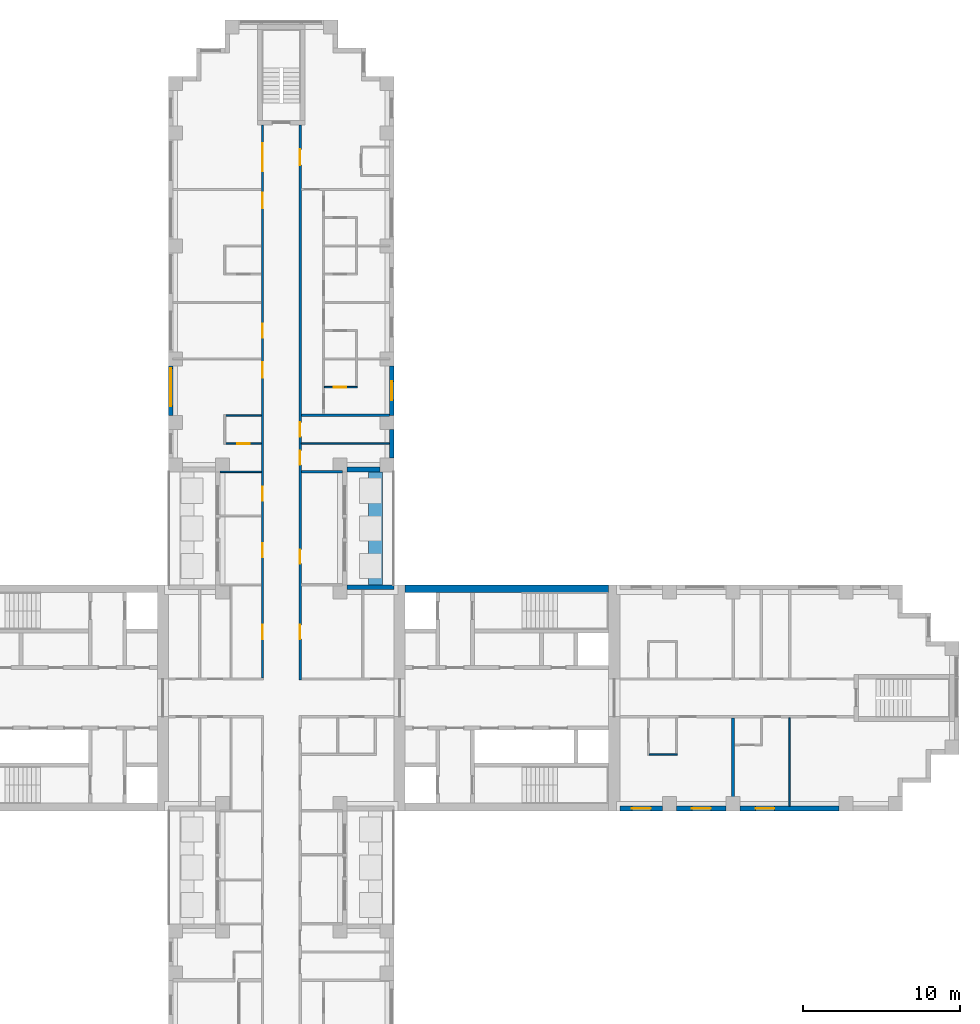
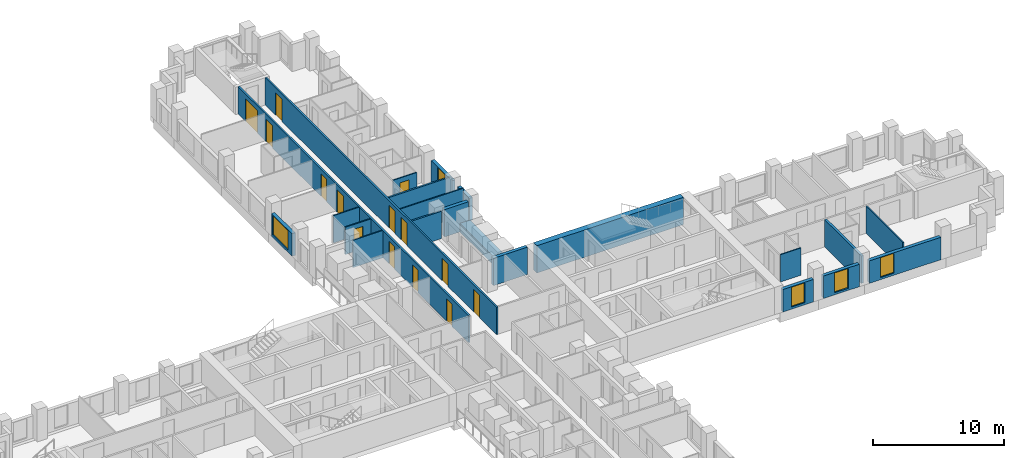
# One storey, part 9 of 15: 22 walls, 14 doors, 5 windows, 19 openings.
"""IFC4 building model written with IfcOpenShell, lengths in metres."""

from ifc_helpers import new_model, si_unit, direction, frame, frame_2d, origin, place, context, subcontext, project, spatial, rectangle, extrude, material, layer, layer_set, type_object, element, fill, save


model = new_model("IFC4")

# Units and contexts
model_context = context("Model", 3, precision=1e-05, world=origin(), true_north=direction((0.0, 1.0)))
body_context = subcontext(model_context, "Body", "Model", "MODEL_VIEW")
ifc_project = project(units=[si_unit("LENGTHUNIT", "METRE"), si_unit("AREAUNIT", "SQUARE_METRE"), si_unit("VOLUMEUNIT", "CUBIC_METRE"), si_unit("PLANEANGLEUNIT", "RADIAN"), si_unit("MASSUNIT", "GRAM", prefix="KILO")], contexts=[model_context])

# Site, building, storey
site_placement = place(None, origin())
site = spatial("IfcSite", under=ifc_project, at=site_placement, CompositionType="ELEMENT")
building_placement = place(site_placement, origin())
building = spatial("IfcBuilding", under=site, at=building_placement, Name="Fustian Cross Tower", CompositionType="ELEMENT")
storey_placement = place(building_placement, frame((0.0, 0.0, 59.699951171875)))
storey = spatial("IfcBuildingStorey", under=building, at=storey_placement, Name="L18", CompositionType="ELEMENT", Elevation=59.699951171875)

# Wall, openings, doors
ifc_material_1 = material(Name="Plasterboard on steel stud", Category="steel")
ifc_layer_1 = layer(ifc_material_1, 0.14990234375)
ifc_layer_set_1 = layer_set([ifc_layer_1], Name="Plasterboard on steel stud")
wall_type_1 = type_object("IfcWallType", Name="COMPARTMENT WALL 150 EI 60", PredefinedType="PARTITIONING", material=ifc_layer_set_1)
wall_1_placement = place(storey_placement, frame((-1.199951171875, 1.27490234375, 0.0), z_axis=(0.0, 0.0, 1.0), x_axis=(0.0, 1.0, 0.0)))
wall_1 = element("IfcWall", 1, at=wall_1_placement, inside=storey, type_object=wall_type_1, Name="Partition 47", PredefinedType="PARTITIONING", context=body_context, shape_type="SweptSolid", body=[
    extrude(rectangle(XDim=35.22509765625, YDim=0.14990234375, at=frame_2d((17.612548828125, 0.0))), origin(), (0.0, 0.0, 1.0), 2.550048828125),
])
opening_1_placement = place(wall_1_placement, frame((2.47509765625, 0.0, 0.0)))
opening_1 = element("IfcOpeningElement", 2, at=opening_1_placement, cuts=wall_1, Name="Opening D09003", PredefinedType="OPENING", context=body_context, shape_type="SweptSolid", body=[
    extrude(rectangle(XDim=0.89990234375, YDim=2.10009765625, at=frame_2d((0.449951171875, 1.050048828125))), frame((0.0, 0.0849609375, 0.0), z_axis=(0.0, -1.0, 0.0), x_axis=(1.0, 0.0, 0.0)), (0.0, 0.0, 1.0), 0.169921875),
])
opening_2_placement = place(wall_1_placement, frame((11.27490234375, 0.0, 0.0)))
opening_2 = element("IfcOpeningElement", 3, at=opening_2_placement, cuts=wall_1, Name="Opening D09022", PredefinedType="OPENING", context=body_context, shape_type="SweptSolid", body=[
    extrude(rectangle(XDim=0.89990234375, YDim=2.10009765625, at=frame_2d((0.449951171875, 1.050048828125))), frame((0.0, 0.0849609375, 0.0), z_axis=(0.0, -1.0, 0.0), x_axis=(1.0, 0.0, 0.0)), (0.0, 0.0, 1.0), 0.169921875),
])
opening_3_placement = place(wall_1_placement, frame((7.675048828125, 0.0, 0.0)))
opening_3 = element("IfcOpeningElement", 4, at=opening_3_placement, cuts=wall_1, Name="Opening D09023", PredefinedType="OPENING", context=body_context, shape_type="SweptSolid", body=[
    extrude(rectangle(XDim=0.89990234375, YDim=2.10009765625, at=frame_2d((0.449951171875, 1.050048828125))), frame((0.0, 0.0849609375, 0.0), z_axis=(0.0, -1.0, 0.0), x_axis=(1.0, 0.0, 0.0)), (0.0, 0.0, 1.0), 0.169921875),
])
opening_4_placement = place(wall_1_placement, frame((19.125, 0.0, 0.0)))
opening_4 = element("IfcOpeningElement", 5, at=opening_4_placement, cuts=wall_1, Name="Opening D09025", PredefinedType="OPENING", context=body_context, shape_type="SweptSolid", body=[
    extrude(rectangle(XDim=1.0, YDim=2.10009765625, at=frame_2d((0.5, 1.050048828125))), frame((0.0, 0.0849609375, 0.0), z_axis=(0.0, -1.0, 0.0), x_axis=(1.0, 0.0, 0.0)), (0.0, 0.0, 1.0), 0.169921875),
])
opening_5_placement = place(wall_1_placement, frame((21.675048828125, 0.0, 0.0)))
opening_5 = element("IfcOpeningElement", 6, at=opening_5_placement, cuts=wall_1, Name="Opening D09026", PredefinedType="OPENING", context=body_context, shape_type="SweptSolid", body=[
    extrude(rectangle(XDim=0.89990234375, YDim=2.10009765625, at=frame_2d((0.449951171875, 1.050048828125))), frame((0.0, 0.0849609375, 0.0), z_axis=(0.0, -1.0, 0.0), x_axis=(1.0, 0.0, 0.0)), (0.0, 0.0, 1.0), 0.169921875),
])
opening_6_placement = place(wall_1_placement, frame((29.925048828125, 0.0, 0.0)))
opening_6 = element("IfcOpeningElement", 7, at=opening_6_placement, cuts=wall_1, Name="Opening D09028", PredefinedType="OPENING", context=body_context, shape_type="SweptSolid", body=[
    extrude(rectangle(XDim=1.0, YDim=2.10009765625, at=frame_2d((0.5, 1.050048828125))), frame((0.0, 0.0849609375, 0.0), z_axis=(0.0, -1.0, 0.0), x_axis=(1.0, 0.0, 0.0)), (0.0, 0.0, 1.0), 0.169921875),
])
opening_7_placement = place(wall_1_placement, frame((32.27490234375, 0.0, 0.0)))
opening_7 = element("IfcOpeningElement", 8, at=opening_7_placement, cuts=wall_1, Name="Opening D09029", PredefinedType="OPENING", context=body_context, shape_type="SweptSolid", body=[
    extrude(rectangle(XDim=1.800048828125, YDim=2.10009765625, at=frame_2d((0.89990234375, 1.050048828125))), frame((0.0, 0.0849609375, 0.0), z_axis=(0.0, -1.0, 0.0), x_axis=(1.0, 0.0, 0.0)), (0.0, 0.0, 1.0), 0.169921875),
])
ifc_material_2 = material(Name="Timber fire door set", Category="wood")
door_type_1 = type_object("IfcDoorType", Name="FIRE DOUBLE DOOR 1800 FD30S", OperationType="DOUBLE_DOOR_DOUBLE_SWING", PredefinedType="DOOR", material=ifc_material_2)
door_1_placement = place(opening_7_placement, frame((1.800048828125, 0.0, 0.0), z_axis=(0.0, 0.0, 1.0), x_axis=(-1.0, 0.0, 0.0)))
door_1 = element("IfcDoor", 9, at=door_1_placement, inside=storey, type_object=door_type_1, Name="Door D09029", OperationType="DOUBLE_DOOR_DOUBLE_SWING", OverallHeight=2.10009765625, OverallWidth=1.800048828125, PredefinedType="DOOR", context=body_context, shape_type="SweptSolid", body=[
    extrude(rectangle(XDim=1.800048828125, YDim=2.10009765625, at=frame_2d((0.89990234375, 1.050048828125))), frame((0.0, 0.02490234375, 0.0), z_axis=(0.0, -1.0, 0.0), x_axis=(1.0, 0.0, 0.0)), (0.0, 0.0, 1.0), 0.050048828125),
])
fill(opening_7, door_1)
ifc_material_3 = material(Name="Timber fire door set", Category="wood")
door_type_2 = type_object("IfcDoorType", Name="FIRE SWING DOOR 1000 FD30S", OperationType="SINGLE_SWING_LEFT", PredefinedType="DOOR", material=ifc_material_3)
door_2_placement = place(opening_4_placement, origin())
door_2 = element("IfcDoor", 10, at=door_2_placement, inside=storey, type_object=door_type_2, Name="Door D09025", OperationType="SINGLE_SWING_RIGHT", OverallHeight=2.10009765625, OverallWidth=1.0, PredefinedType="DOOR", context=body_context, shape_type="SweptSolid", body=[
    extrude(rectangle(XDim=1.0, YDim=2.10009765625, at=frame_2d((0.5, 1.050048828125))), frame((0.0, 0.02490234375, 0.0), z_axis=(0.0, -1.0, 0.0), x_axis=(1.0, 0.0, 0.0)), (0.0, 0.0, 1.0), 0.050048828125),
])
fill(opening_4, door_2)
door_3_placement = place(opening_6_placement, origin())
door_3 = element("IfcDoor", 11, at=door_3_placement, inside=storey, type_object=door_type_2, Name="Door D09028", OperationType="SINGLE_SWING_RIGHT", OverallHeight=2.10009765625, OverallWidth=1.0, PredefinedType="DOOR", context=body_context, shape_type="SweptSolid", body=[
    extrude(rectangle(XDim=1.0, YDim=2.10009765625, at=frame_2d((0.5, 1.050048828125))), frame((0.0, 0.02490234375, 0.0), z_axis=(0.0, -1.0, 0.0), x_axis=(1.0, 0.0, 0.0)), (0.0, 0.0, 1.0), 0.050048828125),
])
fill(opening_6, door_3)
ifc_material_4 = material(Name="Timber fire door set", Category="wood")
door_type_3 = type_object("IfcDoorType", Name="FIRE SWING DOOR 900 FD30S", OperationType="SINGLE_SWING_LEFT", PredefinedType="DOOR", material=ifc_material_4)
door_4_placement = place(opening_1_placement, origin())
door_4 = element("IfcDoor", 12, at=door_4_placement, inside=storey, type_object=door_type_3, Name="Door D09003", OperationType="SINGLE_SWING_LEFT", OverallHeight=2.10009765625, OverallWidth=0.89990234375, PredefinedType="DOOR", context=body_context, shape_type="SweptSolid", body=[
    extrude(rectangle(XDim=0.89990234375, YDim=2.10009765625, at=frame_2d((0.449951171875, 1.050048828125))), frame((0.0, 0.02490234375, 0.0), z_axis=(0.0, -1.0, 0.0), x_axis=(1.0, 0.0, 0.0)), (0.0, 0.0, 1.0), 0.050048828125),
])
fill(opening_1, door_4)
door_5_placement = place(opening_2_placement, origin())
door_5 = element("IfcDoor", 13, at=door_5_placement, inside=storey, type_object=door_type_3, Name="Door D09022", OperationType="SINGLE_SWING_LEFT", OverallHeight=2.10009765625, OverallWidth=0.89990234375, PredefinedType="DOOR", context=body_context, shape_type="SweptSolid", body=[
    extrude(rectangle(XDim=0.89990234375, YDim=2.10009765625, at=frame_2d((0.449951171875, 1.050048828125))), frame((0.0, 0.02490234375, 0.0), z_axis=(0.0, -1.0, 0.0), x_axis=(1.0, 0.0, 0.0)), (0.0, 0.0, 1.0), 0.050048828125),
])
fill(opening_2, door_5)
door_6_placement = place(opening_3_placement, origin())
door_6 = element("IfcDoor", 14, at=door_6_placement, inside=storey, type_object=door_type_3, Name="Door D09023", OperationType="SINGLE_SWING_LEFT", OverallHeight=2.10009765625, OverallWidth=0.89990234375, PredefinedType="DOOR", context=body_context, shape_type="SweptSolid", body=[
    extrude(rectangle(XDim=0.89990234375, YDim=2.10009765625, at=frame_2d((0.449951171875, 1.050048828125))), frame((0.0, 0.02490234375, 0.0), z_axis=(0.0, -1.0, 0.0), x_axis=(1.0, 0.0, 0.0)), (0.0, 0.0, 1.0), 0.050048828125),
])
fill(opening_3, door_6)
door_7_placement = place(opening_5_placement, origin())
door_7 = element("IfcDoor", 15, at=door_7_placement, inside=storey, type_object=door_type_3, Name="Door D09026", OperationType="SINGLE_SWING_LEFT", OverallHeight=2.10009765625, OverallWidth=0.89990234375, PredefinedType="DOOR", context=body_context, shape_type="SweptSolid", body=[
    extrude(rectangle(XDim=0.89990234375, YDim=2.10009765625, at=frame_2d((0.449951171875, 1.050048828125))), frame((0.0, 0.02490234375, 0.0), z_axis=(0.0, -1.0, 0.0), x_axis=(1.0, 0.0, 0.0)), (0.0, 0.0, 1.0), 0.050048828125),
])
fill(opening_5, door_7)

wall_2_placement = place(storey_placement, frame((1.199951171875, 1.125, 0.0), z_axis=(0.0, 0.0, 1.0), x_axis=(0.0, 1.0, 0.0)))
wall_2 = element("IfcWall", 16, at=wall_2_placement, inside=storey, type_object=wall_type_1, Name="Partition 57", PredefinedType="PARTITIONING", context=body_context, shape_type="SweptSolid", body=[
    extrude(rectangle(XDim=35.375, YDim=0.14990234375, at=frame_2d((17.6875, 0.0))), origin(), (0.0, 0.0, 1.0), 2.550048828125),
])
opening_8_placement = place(wall_2_placement, frame((2.625, 0.0, 0.0)))
opening_8 = element("IfcOpeningElement", 17, at=opening_8_placement, cuts=wall_2, Name="Opening D09001", PredefinedType="OPENING", context=body_context, shape_type="SweptSolid", body=[
    extrude(rectangle(XDim=0.89990234375, YDim=2.10009765625, at=frame_2d((0.449951171875, 1.050048828125))), frame((0.0, 0.0849609375, 0.0), z_axis=(0.0, -1.0, 0.0), x_axis=(1.0, 0.0, 0.0)), (0.0, 0.0, 1.0), 0.169921875),
])
opening_9_placement = place(wall_2_placement, frame((7.425048828125, 0.0, 0.0)))
opening_9 = element("IfcOpeningElement", 18, at=opening_9_placement, cuts=wall_2, Name="Opening D09030", PredefinedType="OPENING", context=body_context, shape_type="SweptSolid", body=[
    extrude(rectangle(XDim=0.89990234375, YDim=2.10009765625, at=frame_2d((0.449951171875, 1.050048828125))), frame((0.0, 0.0849609375, 0.0), z_axis=(0.0, -1.0, 0.0), x_axis=(1.0, 0.0, 0.0)), (0.0, 0.0, 1.0), 0.169921875),
])
opening_10_placement = place(wall_2_placement, frame((13.72509765625, 0.0, 0.0)))
opening_10 = element("IfcOpeningElement", 19, at=opening_10_placement, cuts=wall_2, Name="Opening D09031", PredefinedType="OPENING", context=body_context, shape_type="SweptSolid", body=[
    extrude(rectangle(XDim=0.89990234375, YDim=2.10009765625, at=frame_2d((0.449951171875, 1.050048828125))), frame((0.0, 0.0849609375, 0.0), z_axis=(0.0, -1.0, 0.0), x_axis=(1.0, 0.0, 0.0)), (0.0, 0.0, 1.0), 0.169921875),
])
opening_11_placement = place(wall_2_placement, frame((15.52490234375, 0.0, 0.0)))
opening_11 = element("IfcOpeningElement", 20, at=opening_11_placement, cuts=wall_2, Name="Opening D09032", PredefinedType="OPENING", context=body_context, shape_type="SweptSolid", body=[
    extrude(rectangle(XDim=0.89990234375, YDim=2.10009765625, at=frame_2d((0.449951171875, 1.050048828125))), frame((0.0, 0.0849609375, 0.0), z_axis=(0.0, -1.0, 0.0), x_axis=(1.0, 0.0, 0.0)), (0.0, 0.0, 1.0), 0.169921875),
])
opening_12_placement = place(wall_2_placement, frame((32.824951171875, 0.0, 0.0)))
opening_12 = element("IfcOpeningElement", 21, at=opening_12_placement, cuts=wall_2, Name="Opening D09034", PredefinedType="OPENING", context=body_context, shape_type="SweptSolid", body=[
    extrude(rectangle(XDim=1.0, YDim=2.10009765625, at=frame_2d((0.5, 1.050048828125))), frame((0.0, 0.0849609375, 0.0), z_axis=(0.0, -1.0, 0.0), x_axis=(1.0, 0.0, 0.0)), (0.0, 0.0, 1.0), 0.169921875),
])
door_8_placement = place(opening_12_placement, frame((1.0, 0.0, 0.0), z_axis=(0.0, 0.0, 1.0), x_axis=(-1.0, 0.0, 0.0)))
door_8 = element("IfcDoor", 22, at=door_8_placement, inside=storey, type_object=door_type_2, Name="Door D09034", OperationType="SINGLE_SWING_RIGHT", OverallHeight=2.10009765625, OverallWidth=1.0, PredefinedType="DOOR", context=body_context, shape_type="SweptSolid", body=[
    extrude(rectangle(XDim=1.0, YDim=2.10009765625, at=frame_2d((0.5, 1.050048828125))), frame((0.0, 0.02490234375, 0.0), z_axis=(0.0, -1.0, 0.0), x_axis=(1.0, 0.0, 0.0)), (0.0, 0.0, 1.0), 0.050048828125),
])
fill(opening_12, door_8)
door_9_placement = place(opening_8_placement, frame((0.89990234375, 0.0, 0.0), z_axis=(0.0, 0.0, 1.0), x_axis=(-1.0, 0.0, 0.0)))
door_9 = element("IfcDoor", 23, at=door_9_placement, inside=storey, type_object=door_type_3, Name="Door D09001", OperationType="SINGLE_SWING_RIGHT", OverallHeight=2.10009765625, OverallWidth=0.89990234375, PredefinedType="DOOR", context=body_context, shape_type="SweptSolid", body=[
    extrude(rectangle(XDim=0.89990234375, YDim=2.10009765625, at=frame_2d((0.449951171875, 1.050048828125))), frame((0.0, 0.02490234375, 0.0), z_axis=(0.0, -1.0, 0.0), x_axis=(1.0, 0.0, 0.0)), (0.0, 0.0, 1.0), 0.050048828125),
])
fill(opening_8, door_9)
door_10_placement = place(opening_9_placement, frame((0.89990234375, 0.0, 0.0), z_axis=(0.0, 0.0, 1.0), x_axis=(-1.0, 0.0, 0.0)))
door_10 = element("IfcDoor", 24, at=door_10_placement, inside=storey, type_object=door_type_3, Name="Door D09030", OperationType="SINGLE_SWING_RIGHT", OverallHeight=2.10009765625, OverallWidth=0.89990234375, PredefinedType="DOOR", context=body_context, shape_type="SweptSolid", body=[
    extrude(rectangle(XDim=0.89990234375, YDim=2.10009765625, at=frame_2d((0.449951171875, 1.050048828125))), frame((0.0, 0.02490234375, 0.0), z_axis=(0.0, -1.0, 0.0), x_axis=(1.0, 0.0, 0.0)), (0.0, 0.0, 1.0), 0.050048828125),
])
fill(opening_9, door_10)
door_11_placement = place(opening_10_placement, frame((0.89990234375, 0.0, 0.0), z_axis=(0.0, 0.0, 1.0), x_axis=(-1.0, 0.0, 0.0)))
door_11 = element("IfcDoor", 25, at=door_11_placement, inside=storey, type_object=door_type_3, Name="Door D09031", OperationType="SINGLE_SWING_LEFT", OverallHeight=2.10009765625, OverallWidth=0.89990234375, PredefinedType="DOOR", context=body_context, shape_type="SweptSolid", body=[
    extrude(rectangle(XDim=0.89990234375, YDim=2.10009765625, at=frame_2d((0.449951171875, 1.050048828125))), frame((0.0, 0.02490234375, 0.0), z_axis=(0.0, -1.0, 0.0), x_axis=(1.0, 0.0, 0.0)), (0.0, 0.0, 1.0), 0.050048828125),
])
fill(opening_10, door_11)
door_12_placement = place(opening_11_placement, frame((0.89990234375, 0.0, 0.0), z_axis=(0.0, 0.0, 1.0), x_axis=(-1.0, 0.0, 0.0)))
door_12 = element("IfcDoor", 26, at=door_12_placement, inside=storey, type_object=door_type_3, Name="Door D09032", OperationType="SINGLE_SWING_LEFT", OverallHeight=2.10009765625, OverallWidth=0.89990234375, PredefinedType="DOOR", context=body_context, shape_type="SweptSolid", body=[
    extrude(rectangle(XDim=0.89990234375, YDim=2.10009765625, at=frame_2d((0.449951171875, 1.050048828125))), frame((0.0, 0.02490234375, 0.0), z_axis=(0.0, -1.0, 0.0), x_axis=(1.0, 0.0, 0.0)), (0.0, 0.0, 1.0), 0.050048828125),
])
fill(opening_11, door_12)

# Walls
wall_3_placement = place(storey_placement, frame((1.27490234375, 14.39990234375, 0.0), z_axis=(0.0, 0.0, 1.0), x_axis=(1.0, 0.0, 0.0)))
element("IfcWall", 27, at=wall_3_placement, inside=storey, type_object=wall_type_1, Name="Partition 60", PredefinedType="PARTITIONING", context=body_context, shape_type="SweptSolid", body=[
    extrude(rectangle(XDim=2.625, YDim=0.14990234375, at=frame_2d((1.3125, 0.0))), origin(), (0.0, 0.0, 1.0), 2.550048828125),
])
wall_4_placement = place(storey_placement, frame((1.27490234375, 18.0, 0.0), z_axis=(0.0, 0.0, 1.0), x_axis=(1.0, 0.0, 0.0)))
element("IfcWall", 28, at=wall_4_placement, inside=storey, type_object=wall_type_1, Name="Partition 62", PredefinedType="PARTITIONING", context=body_context, shape_type="SweptSolid", body=[
    extrude(rectangle(XDim=5.625, YDim=0.14990234375, at=frame_2d((2.8125, 0.0))), origin(), (0.0, 0.0, 1.0), 2.550048828125),
])
ifc_material_5 = material(Name="Concrete C80/95", Category="concrete")
ifc_layer_2 = layer(ifc_material_5, 0.5)
ifc_layer_set_2 = layer_set([ifc_layer_2], Name="Concrete C80/95")
wall_type_2 = type_object("IfcWallType", Name="CORE FACADE WALL 500 C80/95", PredefinedType="SHEAR", material=ifc_layer_set_2)
wall_5_placement = place(storey_placement, frame((7.89990234375, 6.949951171875, 0.0), z_axis=(0.0, 0.0, 1.0), x_axis=(1.0, 0.0, 0.0)))
element("IfcWall", 29, at=wall_5_placement, inside=storey, type_object=wall_type_2, Name="Core facade wall", PredefinedType="SHEAR", context=body_context, shape_type="SweptSolid", body=[
    extrude(rectangle(XDim=12.9501953125, YDim=0.5, at=frame_2d((6.47509765625, 0.0))), origin(), (0.0, 0.0, 1.0), 2.550048828125),
])
ifc_material_6 = material(Name="Plasterboard on steel stud", Category="steel")
ifc_layer_3 = layer(ifc_material_6, 0.10009765625)
ifc_layer_set_3 = layer_set([ifc_layer_3], Name="Plasterboard on steel stud")
wall_type_3 = type_object("IfcWallType", Name="PARTITION 100 STUD", PredefinedType="PARTITIONING", material=ifc_layer_set_3)
wall_6_placement = place(storey_placement, frame((-3.89990234375, 14.39990234375, 0.0), z_axis=(0.0, 0.0, 1.0), x_axis=(1.0, 0.0, 0.0)))
element("IfcWall", 30, at=wall_6_placement, inside=storey, type_object=wall_type_3, Name="Partition 33", PredefinedType="PARTITIONING", context=body_context, shape_type="SweptSolid", body=[
    extrude(rectangle(XDim=2.625, YDim=0.10009765625, at=frame_2d((1.3125, 0.0))), origin(), (0.0, 0.0, 1.0), 2.550048828125),
])

# Wall, opening, door
wall_7_placement = place(storey_placement, frame((-3.550048828125, 16.199951171875, 0.0), z_axis=(0.0, 0.0, 1.0), x_axis=(1.0, 0.0, 0.0)))
wall_7 = element("IfcWall", 31, at=wall_7_placement, inside=storey, type_object=wall_type_3, Name="Partition 35", PredefinedType="PARTITIONING", context=body_context, shape_type="SweptSolid", body=[
    extrude(rectangle(XDim=2.275146484375, YDim=0.10009765625, at=frame_2d((1.1376953125, 0.0))), origin(), (0.0, 0.0, 1.0), 2.550048828125),
])
opening_13_placement = place(wall_7_placement, frame((0.75, 0.0, 0.0)))
opening_13 = element("IfcOpeningElement", 32, at=opening_13_placement, cuts=wall_7, Name="Opening D09024", PredefinedType="OPENING", context=body_context, shape_type="SweptSolid", body=[
    extrude(rectangle(XDim=0.800048828125, YDim=2.10009765625, at=frame_2d((0.39990234375, 1.050048828125))), frame((0.0, 0.06005859375, 0.0), z_axis=(0.0, -1.0, 0.0), x_axis=(1.0, 0.0, 0.0)), (0.0, 0.0, 1.0), 0.1201171875),
])
ifc_material_7 = material(Name="Painted timber", Category="wood")
door_type_4 = type_object("IfcDoorType", Name="SWING DOOR 800", OperationType="SINGLE_SWING_LEFT", PredefinedType="DOOR", material=ifc_material_7)
door_13_placement = place(opening_13_placement, origin())
door_13 = element("IfcDoor", 33, at=door_13_placement, inside=storey, type_object=door_type_4, Name="Door D09024", OperationType="SINGLE_SWING_LEFT", OverallHeight=2.10009765625, OverallWidth=0.800048828125, PredefinedType="DOOR", context=body_context, shape_type="SweptSolid", body=[
    extrude(rectangle(XDim=0.800048828125, YDim=2.10009765625, at=frame_2d((0.39990234375, 1.050048828125))), frame((0.0, 0.02490234375, 0.0), z_axis=(0.0, -1.0, 0.0), x_axis=(1.0, 0.0, 0.0)), (0.0, 0.0, 1.0), 0.050048828125),
])
fill(opening_13, door_13)

# Walls
wall_8_placement = place(storey_placement, frame((-3.550048828125, 18.0, 0.0), z_axis=(0.0, 0.0, 1.0), x_axis=(1.0, 0.0, 0.0)))
element("IfcWall", 34, at=wall_8_placement, inside=storey, type_object=wall_type_3, Name="Partition 36", PredefinedType="PARTITIONING", context=body_context, shape_type="SweptSolid", body=[
    extrude(rectangle(XDim=2.275146484375, YDim=0.10009765625, at=frame_2d((1.1376953125, 0.0))), origin(), (0.0, 0.0, 1.0), 2.550048828125),
])
wall_9_placement = place(storey_placement, frame((1.27490234375, 16.199951171875, 0.0), z_axis=(0.0, 0.0, 1.0), x_axis=(1.0, 0.0, 0.0)))
element("IfcWall", 35, at=wall_9_placement, inside=storey, type_object=wall_type_3, Name="Partition 61", PredefinedType="PARTITIONING", context=body_context, shape_type="SweptSolid", body=[
    extrude(rectangle(XDim=5.625, YDim=0.10009765625, at=frame_2d((2.8125, 0.0))), origin(), (0.0, 0.0, 1.0), 2.550048828125),
])

# Wall, opening, door
wall_10_placement = place(storey_placement, frame((2.75, 19.800048828125, 0.0), z_axis=(0.0, 0.0, 1.0), x_axis=(1.0, 0.0, 0.0)))
wall_10 = element("IfcWall", 36, at=wall_10_placement, inside=storey, type_object=wall_type_3, Name="Partition 69", PredefinedType="PARTITIONING", context=body_context, shape_type="SweptSolid", body=[
    extrude(rectangle(XDim=2.10009765625, YDim=0.10009765625, at=frame_2d((1.050048828125, 0.0))), origin(), (0.0, 0.0, 1.0), 2.550048828125),
])
opening_14_placement = place(wall_10_placement, frame((0.60009765625, 0.0, 0.0)))
opening_14 = element("IfcOpeningElement", 37, at=opening_14_placement, cuts=wall_10, Name="Opening D09040", PredefinedType="OPENING", context=body_context, shape_type="SweptSolid", body=[
    extrude(rectangle(XDim=0.800048828125, YDim=2.10009765625, at=frame_2d((0.39990234375, 1.050048828125))), frame((0.0, 0.06005859375, 0.0), z_axis=(0.0, -1.0, 0.0), x_axis=(1.0, 0.0, 0.0)), (0.0, 0.0, 1.0), 0.1201171875),
])
door_14_placement = place(opening_14_placement, origin())
door_14 = element("IfcDoor", 38, at=door_14_placement, inside=storey, type_object=door_type_4, Name="Door D09040", OperationType="SINGLE_SWING_LEFT", OverallHeight=2.10009765625, OverallWidth=0.800048828125, PredefinedType="DOOR", context=body_context, shape_type="SweptSolid", body=[
    extrude(rectangle(XDim=0.800048828125, YDim=2.10009765625, at=frame_2d((0.39990234375, 1.050048828125))), frame((0.0, 0.02490234375, 0.0), z_axis=(0.0, -1.0, 0.0), x_axis=(1.0, 0.0, 0.0)), (0.0, 0.0, 1.0), 0.050048828125),
])
fill(opening_14, door_14)

# Walls
wall_11_placement = place(storey_placement, frame((23.449951171875, -3.60009765625, 0.0), z_axis=(0.0, 0.0, 1.0), x_axis=(1.0, 0.0, 0.0)))
element("IfcWall", 39, at=wall_11_placement, inside=storey, type_object=wall_type_3, Name="Partition 91", PredefinedType="PARTITIONING", context=body_context, shape_type="SweptSolid", body=[
    extrude(rectangle(XDim=1.800048828125, YDim=0.10009765625, at=frame_2d((0.89990234375, 0.0))), origin(), (0.0, 0.0, 1.0), 2.550048828125),
])
wall_12_placement = place(storey_placement, frame((32.39990234375, -6.89990234375, 0.0), z_axis=(0.0, 0.0, 1.0), x_axis=(0.0, 1.0, 0.0)))
element("IfcWall", 40, at=wall_12_placement, inside=storey, type_object=wall_type_3, Name="Partition 101", PredefinedType="PARTITIONING", context=body_context, shape_type="SweptSolid", body=[
    extrude(rectangle(XDim=5.625, YDim=0.10009765625, at=frame_2d((2.8125, 0.0))), origin(), (0.0, 0.0, 1.0), 2.550048828125),
])
ifc_material_8 = material(Name="Plasterboard on steel stud", Category="steel")
ifc_layer_4 = layer(ifc_material_8, 0.199951171875)
ifc_layer_set_4 = layer_set([ifc_layer_4], Name="Plasterboard on steel stud")
wall_type_4 = type_object("IfcWallType", Name="PARTY WALL 200 EI 60", PredefinedType="PARTITIONING", material=ifc_layer_set_4)
wall_13_placement = place(storey_placement, frame((28.800048828125, -6.89990234375, 0.0), z_axis=(0.0, 0.0, 1.0), x_axis=(0.0, 1.0, 0.0)))
element("IfcWall", 41, at=wall_13_placement, inside=storey, type_object=wall_type_4, Name="Partition 96", PredefinedType="PARTITIONING", context=body_context, shape_type="SweptSolid", body=[
    extrude(rectangle(XDim=5.625, YDim=0.199951171875, at=frame_2d((2.8125, 0.0))), origin(), (0.0, 0.0, 1.0), 2.550048828125),
])
ifc_material_9 = material(Name="Concrete C40/50", Category="concrete")
ifc_layer_5 = layer(ifc_material_9, 0.89990234375)
ifc_layer_set_5 = layer_set([ifc_layer_5], Name="Concrete C40/50")
wall_type_5 = type_object("IfcWallType", Name="PK1 PLANTER 900", PredefinedType="PARAPET", material=ifc_layer_set_5)
wall_14_placement = place(storey_placement, frame((6.0, 7.199951171875, 0.0), z_axis=(0.0, 0.0, 1.0), x_axis=(0.0, 1.0, 0.0)))
element("IfcWall", 42, at=wall_14_placement, inside=storey, type_object=wall_type_5, Name="PLANTER", PredefinedType="PARAPET", context=body_context, shape_type="SweptSolid", body=[
    extrude(rectangle(XDim=7.199951171875, YDim=0.89990234375, at=frame_2d((3.60009765625, 0.0))), origin(), (0.0, 0.0, 1.0), 0.800048828125),
])

# Wall, opening, window
ifc_material_10 = material(Name="Dark aluminium cladding on insulated backing wall", Category="aluminium")
ifc_layer_6 = layer(ifc_material_10, 0.300048828125)
ifc_layer_set_6 = layer_set([ifc_layer_6], Name="Dark aluminium cladding on insulated backing wall")
wall_type_6 = type_object("IfcWallType", Name="XW1 EXTERNAL WALL 300", PredefinedType="SOLIDWALL", material=ifc_layer_set_6)
wall_15_placement = place(storey_placement, frame((21.60009765625, -7.050048828125, 0.0), z_axis=(0.0, 0.0, 1.0), x_axis=(1.0, 0.0, 0.0)))
wall_15 = element("IfcWall", 43, at=wall_15_placement, inside=storey, type_object=wall_type_6, Name="External wall", PredefinedType="SOLIDWALL", context=body_context, shape_type="SweptSolid", body=[
    extrude(rectangle(XDim=2.699951171875, YDim=0.300048828125, at=frame_2d((1.35009765625, 0.0))), origin(), (0.0, 0.0, 1.0), 2.10009765625),
])
opening_15_placement = place(wall_15_placement, frame((0.75, 0.0, 0.199951171875)))
opening_15 = element("IfcOpeningElement", 44, at=opening_15_placement, cuts=wall_15, Name="Opening WN3", PredefinedType="OPENING", context=body_context, shape_type="SweptSolid", body=[
    extrude(rectangle(XDim=1.199951171875, YDim=1.85009765625, at=frame_2d((0.60009765625, 0.925048828125))), frame((0.0, 0.159912109375, 0.0), z_axis=(0.0, -1.0, 0.0), x_axis=(1.0, 0.0, 0.0)), (0.0, 0.0, 1.0), 0.320068359375),
])
ifc_material_11 = material(Name="Dark anodised aluminium and double glazing", Category="aluminium")
window_type_1 = type_object("IfcWindowType", Name="WN3 WINDOW 1200X1850", PartitioningType="SINGLE_PANEL", PredefinedType="WINDOW", material=ifc_material_11)
window_1_placement = place(opening_15_placement, origin())
window_1 = element("IfcWindow", 45, at=window_1_placement, inside=storey, type_object=window_type_1, Name="Window", OverallHeight=1.85009765625, OverallWidth=1.199951171875, PartitioningType="SINGLE_PANEL", PredefinedType="WINDOW", context=body_context, shape_type="SweptSolid", body=[
    extrude(rectangle(XDim=1.199951171875, YDim=1.85009765625, at=frame_2d((0.60009765625, 0.925048828125))), frame((0.0, 0.030029296875, 0.0), z_axis=(0.0, -1.0, 0.0), x_axis=(1.0, 0.0, 0.0)), (0.0, 0.0, 1.0), 0.06005859375),
])
fill(opening_15, window_1)

wall_16_placement = place(storey_placement, frame((25.199951171875, -7.050048828125, 0.0), z_axis=(0.0, 0.0, 1.0), x_axis=(1.0, 0.0, 0.0)))
wall_16 = element("IfcWall", 46, at=wall_16_placement, inside=storey, type_object=wall_type_6, Name="External wall", PredefinedType="SOLIDWALL", context=body_context, shape_type="SweptSolid", body=[
    extrude(rectangle(XDim=3.150146484375, YDim=0.300048828125, at=frame_2d((1.5751953125, 0.0))), origin(), (0.0, 0.0, 1.0), 2.10009765625),
])
opening_16_placement = place(wall_16_placement, frame((0.97509765625, 0.0, 0.199951171875)))
opening_16 = element("IfcOpeningElement", 47, at=opening_16_placement, cuts=wall_16, Name="Opening WN3", PredefinedType="OPENING", context=body_context, shape_type="SweptSolid", body=[
    extrude(rectangle(XDim=1.199951171875, YDim=1.85009765625, at=frame_2d((0.60009765625, 0.925048828125))), frame((0.0, 0.159912109375, 0.0), z_axis=(0.0, -1.0, 0.0), x_axis=(1.0, 0.0, 0.0)), (0.0, 0.0, 1.0), 0.320068359375),
])
window_2_placement = place(opening_16_placement, origin())
window_2 = element("IfcWindow", 48, at=window_2_placement, inside=storey, type_object=window_type_1, Name="Window", OverallHeight=1.85009765625, OverallWidth=1.199951171875, PartitioningType="SINGLE_PANEL", PredefinedType="WINDOW", context=body_context, shape_type="SweptSolid", body=[
    extrude(rectangle(XDim=1.199951171875, YDim=1.85009765625, at=frame_2d((0.60009765625, 0.925048828125))), frame((0.0, 0.030029296875, 0.0), z_axis=(0.0, -1.0, 0.0), x_axis=(1.0, 0.0, 0.0)), (0.0, 0.0, 1.0), 0.06005859375),
])
fill(opening_16, window_2)

wall_17_placement = place(storey_placement, frame((29.25, -7.050048828125, 0.0), z_axis=(0.0, 0.0, 1.0), x_axis=(1.0, 0.0, 0.0)))
wall_17 = element("IfcWall", 49, at=wall_17_placement, inside=storey, type_object=wall_type_6, Name="External wall", PredefinedType="SOLIDWALL", context=body_context, shape_type="SweptSolid", body=[
    extrude(rectangle(XDim=6.300048828125, YDim=0.300048828125, at=frame_2d((3.14990234375, 0.0))), origin(), (0.0, 0.0, 1.0), 2.10009765625),
])
opening_17_placement = place(wall_17_placement, frame((0.97509765625, 0.0, 0.199951171875)))
opening_17 = element("IfcOpeningElement", 50, at=opening_17_placement, cuts=wall_17, Name="Opening WN3", PredefinedType="OPENING", context=body_context, shape_type="SweptSolid", body=[
    extrude(rectangle(XDim=1.199951171875, YDim=1.85009765625, at=frame_2d((0.60009765625, 0.925048828125))), frame((0.0, 0.159912109375, 0.0), z_axis=(0.0, -1.0, 0.0), x_axis=(1.0, 0.0, 0.0)), (0.0, 0.0, 1.0), 0.320068359375),
])
window_3_placement = place(opening_17_placement, origin())
window_3 = element("IfcWindow", 51, at=window_3_placement, inside=storey, type_object=window_type_1, Name="Window", OverallHeight=1.85009765625, OverallWidth=1.199951171875, PartitioningType="SINGLE_PANEL", PredefinedType="WINDOW", context=body_context, shape_type="SweptSolid", body=[
    extrude(rectangle(XDim=1.199951171875, YDim=1.85009765625, at=frame_2d((0.60009765625, 0.925048828125))), frame((0.0, 0.030029296875, 0.0), z_axis=(0.0, -1.0, 0.0), x_axis=(1.0, 0.0, 0.0)), (0.0, 0.0, 1.0), 0.06005859375),
])
fill(opening_17, window_3)

# Walls
wall_18_placement = place(storey_placement, frame((7.199951171875, 7.050048828125, 0.0), z_axis=(0.0, 0.0, 1.0), x_axis=(-1.0, 0.0, 0.0)))
element("IfcWall", 52, at=wall_18_placement, inside=storey, type_object=wall_type_6, Name="External wall", PredefinedType="SOLIDWALL", context=body_context, shape_type="SweptSolid", body=[
    extrude(rectangle(XDim=3.0, YDim=0.300048828125, at=frame_2d((1.5, 0.0))), origin(), (0.0, 0.0, 1.0), 2.550048828125),
])
wall_19_placement = place(storey_placement, frame((4.199951171875, 14.550048828125, 0.0), z_axis=(0.0, 0.0, 1.0), x_axis=(1.0, 0.0, 0.0)))
element("IfcWall", 53, at=wall_19_placement, inside=storey, type_object=wall_type_6, Name="External wall", PredefinedType="SOLIDWALL", context=body_context, shape_type="SweptSolid", body=[
    extrude(rectangle(XDim=2.10009765625, YDim=0.300048828125, at=frame_2d((1.050048828125, 0.0))), origin(), (0.0, 0.0, 1.0), 2.550048828125),
])
wall_20_placement = place(storey_placement, frame((7.050048828125, 15.300048828125, 0.0), z_axis=(0.0, 0.0, 1.0), x_axis=(0.0, 1.0, 0.0)))
element("IfcWall", 54, at=wall_20_placement, inside=storey, type_object=wall_type_6, Name="External wall", PredefinedType="SOLIDWALL", context=body_context, shape_type="SweptSolid", body=[
    extrude(rectangle(XDim=1.800048828125, YDim=0.300048828125, at=frame_2d((0.89990234375, 0.0))), origin(), (0.0, 0.0, 1.0), 2.10009765625),
])

# Wall, opening, window
wall_21_placement = place(storey_placement, frame((7.050048828125, 18.0, 0.0), z_axis=(0.0, 0.0, 1.0), x_axis=(0.0, 1.0, 0.0)))
wall_21 = element("IfcWall", 55, at=wall_21_placement, inside=storey, type_object=wall_type_6, Name="External wall", PredefinedType="SOLIDWALL", context=body_context, shape_type="SweptSolid", body=[
    extrude(rectangle(XDim=3.14990234375, YDim=0.300048828125, at=frame_2d((1.574951171875, 0.0))), origin(), (0.0, 0.0, 1.0), 2.10009765625),
])
opening_18_placement = place(wall_21_placement, frame((0.97509765625, 0.0, 0.199951171875)))
opening_18 = element("IfcOpeningElement", 56, at=opening_18_placement, cuts=wall_21, Name="Opening WN3", PredefinedType="OPENING", context=body_context, shape_type="SweptSolid", body=[
    extrude(rectangle(XDim=1.199951171875, YDim=1.85009765625, at=frame_2d((0.60009765625, 0.925048828125))), frame((0.0, 0.159912109375, 0.0), z_axis=(0.0, -1.0, 0.0), x_axis=(1.0, 0.0, 0.0)), (0.0, 0.0, 1.0), 0.320068359375),
])
window_4_placement = place(opening_18_placement, origin())
window_4 = element("IfcWindow", 57, at=window_4_placement, inside=storey, type_object=window_type_1, Name="Window", OverallHeight=1.85009765625, OverallWidth=1.199951171875, PartitioningType="SINGLE_PANEL", PredefinedType="WINDOW", context=body_context, shape_type="SweptSolid", body=[
    extrude(rectangle(XDim=1.199951171875, YDim=1.85009765625, at=frame_2d((0.60009765625, 0.925048828125))), frame((0.0, 0.030029296875, 0.0), z_axis=(0.0, -1.0, 0.0), x_axis=(1.0, 0.0, 0.0)), (0.0, 0.0, 1.0), 0.06005859375),
])
fill(opening_18, window_4)

wall_22_placement = place(storey_placement, frame((-7.050048828125, 21.14990234375, 0.0), z_axis=(0.0, 0.0, 1.0), x_axis=(0.0, -1.0, 0.0)))
wall_22 = element("IfcWall", 58, at=wall_22_placement, inside=storey, type_object=wall_type_6, Name="External wall", PredefinedType="SOLIDWALL", context=body_context, shape_type="SweptSolid", body=[
    extrude(rectangle(XDim=3.14990234375, YDim=0.300048828125, at=frame_2d((1.574951171875, 0.0))), origin(), (0.0, 0.0, 1.0), 2.10009765625),
])
opening_19_placement = place(wall_22_placement, frame((0.14990234375, 0.0, 0.199951171875)))
opening_19 = element("IfcOpeningElement", 59, at=opening_19_placement, cuts=wall_22, Name="Opening WN1", PredefinedType="OPENING", context=body_context, shape_type="SweptSolid", body=[
    extrude(rectangle(XDim=2.39990234375, YDim=1.85009765625, at=frame_2d((1.199951171875, 0.925048828125))), frame((0.0, 0.159912109375, 0.0), z_axis=(0.0, -1.0, 0.0), x_axis=(1.0, 0.0, 0.0)), (0.0, 0.0, 1.0), 0.320068359375),
])
ifc_material_12 = material(Name="Dark anodised aluminium and double glazing", Category="aluminium")
window_type_2 = type_object("IfcWindowType", Name="WN1 WINDOW 2400X1850", PartitioningType="SINGLE_PANEL", PredefinedType="WINDOW", material=ifc_material_12)
window_5_placement = place(opening_19_placement, origin())
window_5 = element("IfcWindow", 60, at=window_5_placement, inside=storey, type_object=window_type_2, Name="Window", OverallHeight=1.85009765625, OverallWidth=2.39990234375, PartitioningType="SINGLE_PANEL", PredefinedType="WINDOW", context=body_context, shape_type="SweptSolid", body=[
    extrude(rectangle(XDim=2.39990234375, YDim=1.85009765625, at=frame_2d((1.199951171875, 0.925048828125))), frame((0.0, 0.030029296875, 0.0), z_axis=(0.0, -1.0, 0.0), x_axis=(1.0, 0.0, 0.0)), (0.0, 0.0, 1.0), 0.06005859375),
])
fill(opening_19, window_5)

save(model, "model.ifc")
